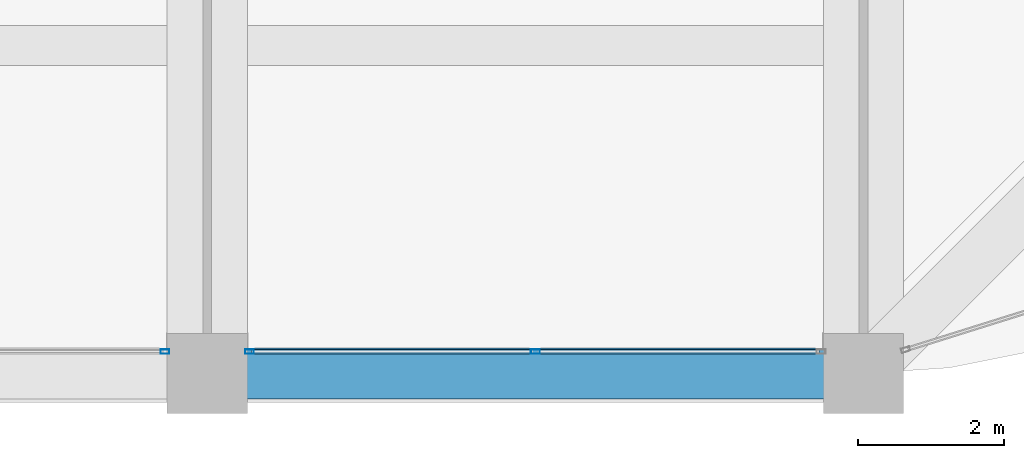
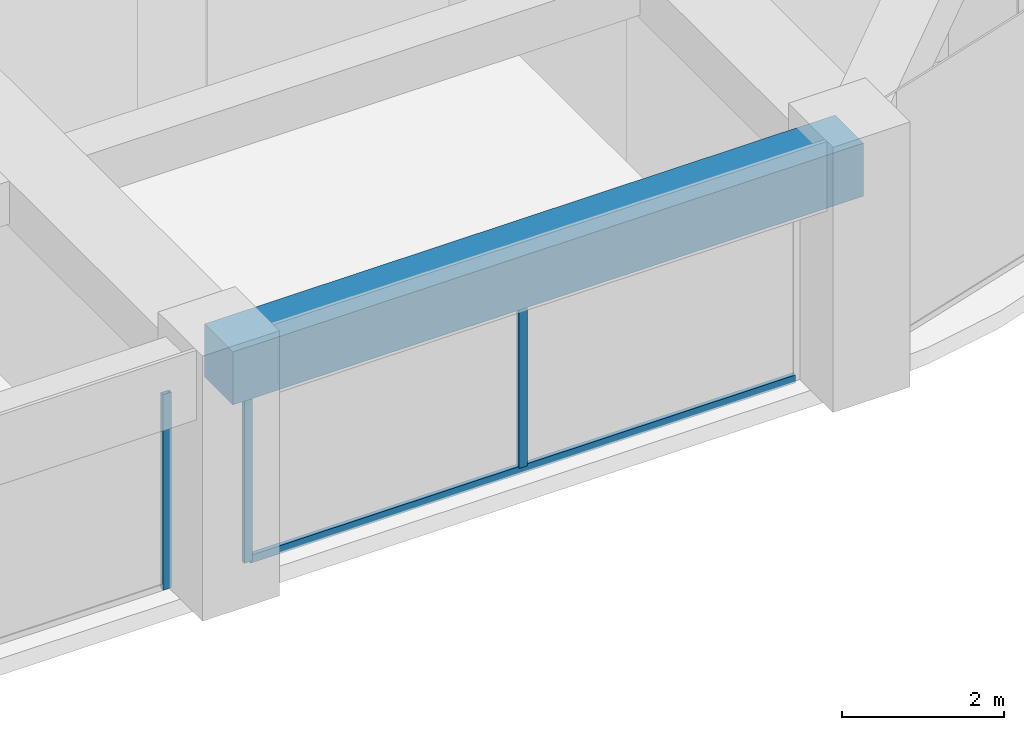
# One storey, part 11 of 45: 4 members, 1 beam, 2 elements without a shape of their own.
"""IFC4 building model written with IfcOpenShell, lengths in metres."""

from ifc_helpers import new_model, si_unit, direction, frame, origin, origin_2d, place, context, subcontext, project, spatial, rectangle, hollow_rectangle, extrude, material, material_profile, profile_set, type_object, element, aggregate, save


model = new_model("IFC4")

# Units and contexts
model_context = context("Model", 3, precision=1e-05, world=origin(), true_north=direction((0.0, 1.0)))
body_context = subcontext(model_context, "Body", "Model", "MODEL_VIEW")
ifc_project = project(units=[si_unit("LENGTHUNIT", "METRE"), si_unit("AREAUNIT", "SQUARE_METRE"), si_unit("VOLUMEUNIT", "CUBIC_METRE"), si_unit("PLANEANGLEUNIT", "RADIAN"), si_unit("MASSUNIT", "GRAM", prefix="KILO")], contexts=[model_context])

# Site, building, storey
site_placement = place(None, origin())
site = spatial("IfcSite", under=ifc_project, at=site_placement, CompositionType="ELEMENT")
building_placement = place(site_placement, origin())
building = spatial("IfcBuilding", under=site, at=building_placement, Name="Zorevar Civic Tower", CompositionType="ELEMENT")
storey_placement = place(building_placement, frame((0.0, 0.0, 291.39990234375)))
storey = spatial("IfcBuildingStorey", under=building, at=storey_placement, Name="L71", CompositionType="ELEMENT", Elevation=291.39990234375)

# Curtain wall, member
ifc_material_1 = material(Name="Dark grey solar-control glass in black aluminium frame", Category="aluminium")
curtain_wall_type = type_object("IfcCurtainWallType", Name="Curtain wall CW5 top zone", PredefinedType="NOTDEFINED", material=ifc_material_1)
curtain_wall_1_placement = place(storey_placement, origin())
curtain_wall_1 = element("IfcCurtainWall", 1, at=curtain_wall_1_placement, inside=storey, type_object=curtain_wall_type, Name="CW5 L71", PredefinedType="NOTDEFINED")
ifc_material_2 = material(Name="Aluminium, black anodised", Category="aluminium")
ifc_material_profile_1 = material_profile(ifc_material_2, hollow_rectangle(XDim=0.06005859375, YDim=0.1201171875, WallThickness=0.0029296875, at=origin_2d()), Name="AL 120x60x3")
ifc_profile_set_1 = profile_set([ifc_material_profile_1], Name="Aluminium, black anodised")
member_type_1 = type_object("IfcMemberType", Name="CW5 mullion AL 120x60x3", PredefinedType="MULLION", material=ifc_profile_set_1)
member_1_placement = place(storey_placement, frame((35.419921875, 0.300048828125, 0.0), z_axis=(0.0, 0.0, 1.0), x_axis=(0.0, 1.0, 0.0)))
member_1 = element("IfcMember", 2, at=member_1_placement, type_object=member_type_1, Name="CW5 mullion 3", PredefinedType="MULLION", context=body_context, shape_type="SweptSolid", body=[
    extrude(hollow_rectangle(XDim=0.06005859375, YDim=0.1201171875, WallThickness=0.0029296875, at=origin_2d()), origin(), (0.0, 0.0, 1.0), 2.9501953125),
])
aggregate(curtain_wall_1, [member_1])

# Curtain wall, members
curtain_wall_2_placement = place(storey_placement, origin())
curtain_wall_2 = element("IfcCurtainWall", 3, at=curtain_wall_2_placement, inside=storey, type_object=curtain_wall_type, Name="CW5 L71", PredefinedType="NOTDEFINED")
member_2_placement = place(storey_placement, frame((36.580078125, 0.300048828125, 0.0), z_axis=(0.0, 0.0, 1.0), x_axis=(0.0, 1.0, 0.0)))
member_2 = element("IfcMember", 4, at=member_2_placement, type_object=member_type_1, Name="CW5 mullion 1", PredefinedType="MULLION", context=body_context, shape_type="SweptSolid", body=[
    extrude(hollow_rectangle(XDim=0.06005859375, YDim=0.1201171875, WallThickness=0.0029296875, at=origin_2d()), origin(), (0.0, 0.0, 1.0), 2.9501953125),
])
member_3_placement = place(storey_placement, frame((40.5, 0.300048828125, 0.06005859375), z_axis=(0.0, 0.0, 1.0), x_axis=(0.0, 1.0, 0.0)))
member_3 = element("IfcMember", 5, at=member_3_placement, type_object=member_type_1, Name="CW5 mullion 2", PredefinedType="MULLION", context=body_context, shape_type="SweptSolid", body=[
    extrude(hollow_rectangle(XDim=0.06005859375, YDim=0.1201171875, WallThickness=0.0029296875, at=origin_2d()), origin(), (0.0, 0.0, 1.0), 2.89013671875),
])
ifc_material_3 = material(Name="Aluminium, black anodised", Category="aluminium")
ifc_material_profile_2 = material_profile(ifc_material_3, hollow_rectangle(XDim=0.06005859375, YDim=0.1201171875, WallThickness=0.0029296875, at=origin_2d()), Name="AL 120x60x3")
ifc_profile_set_2 = profile_set([ifc_material_profile_2], Name="Aluminium, black anodised")
member_type_2 = type_object("IfcMemberType", Name="CW5 transom AL 120x60x3", PredefinedType="USERDEFINED", material=ifc_profile_set_2)
member_4_placement = place(storey_placement, frame((36.610107421875, 0.300048828125, 0.030029296875), z_axis=(1.0, 0.0, 0.0), x_axis=(0.0, 1.0, 0.0)))
member_4 = element("IfcMember", 6, at=member_4_placement, type_object=member_type_2, Name="CW5 sill transom", ObjectType="TRANSOM", PredefinedType="USERDEFINED", context=body_context, shape_type="SweptSolid", body=[
    extrude(hollow_rectangle(XDim=0.06005859375, YDim=0.1201171875, WallThickness=0.0029296875, at=origin_2d()), origin(), (0.0, 0.0, 1.0), 7.77978515625),
])
aggregate(curtain_wall_2, [member_2, member_3, member_4])

# Beam
ifc_material_4 = material(Name="Concrete C50/60", Category="concrete")
ifc_material_profile_3 = material_profile(ifc_material_4, rectangle(XDim=0.699951171875, YDim=0.800048828125, at=origin_2d()), Name="RC 700x800")
ifc_profile_set_3 = profile_set([ifc_material_profile_3], Name="Concrete C50/60")
beam_type = type_object("IfcBeamType", Name="Edge beam RC 700x800", PredefinedType="SPANDREL", material=ifc_profile_set_3)
beam_placement = place(storey_placement, frame((36.0, 0.0, 3.35009765625), z_axis=(1.0, 0.0, 0.0), x_axis=(0.0, 1.0, 0.0)))
element("IfcBeam", 7, at=beam_placement, inside=storey, type_object=beam_type, Name="Edge beam L72", PredefinedType="SPANDREL", context=body_context, shape_type="SweptSolid", body=[
    extrude(rectangle(XDim=0.699951171875, YDim=0.800048828125, at=origin_2d()), origin(), (0.0, 0.0, 1.0), 9.0),
])

save(model, "model.ifc")
